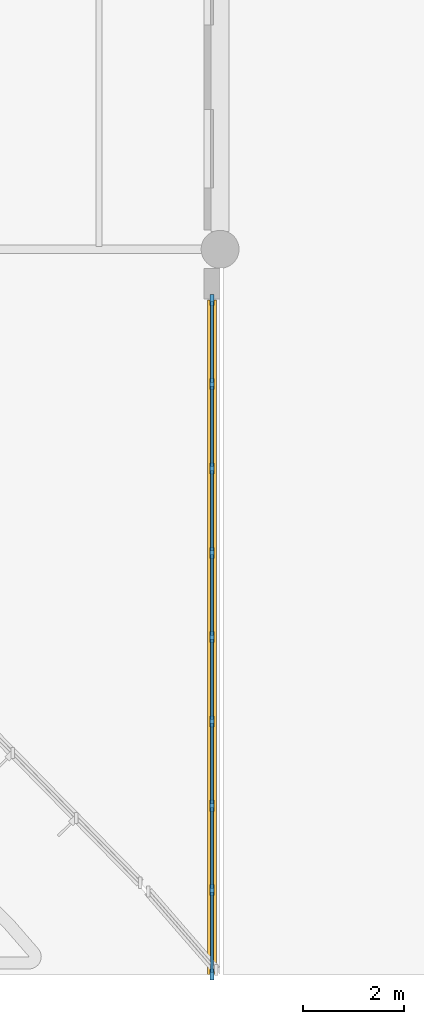
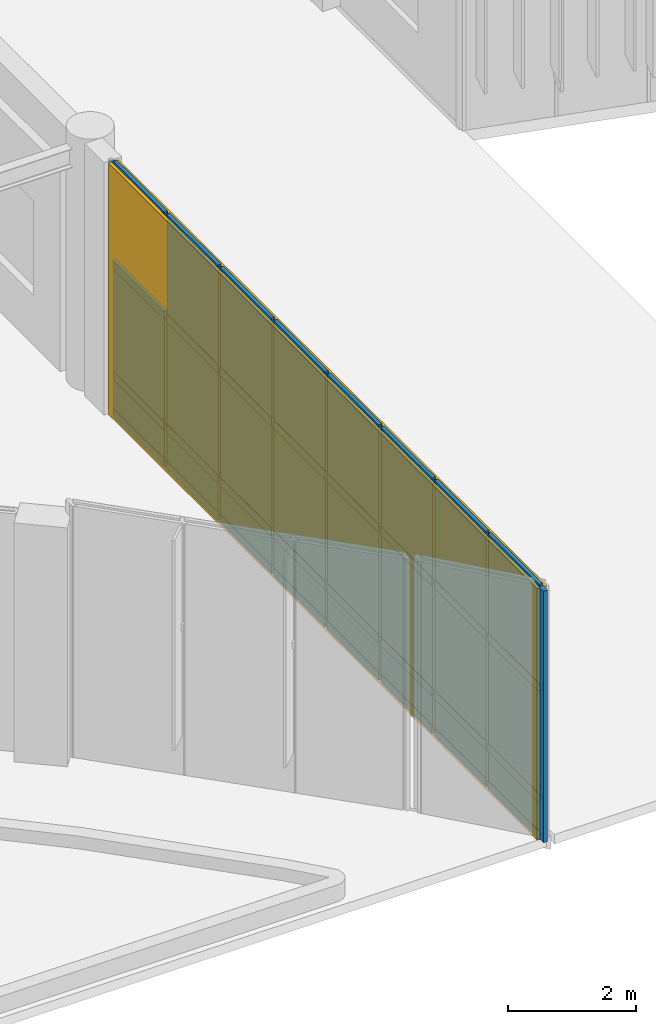
# One storey, part 80 of 122: 41 members, 23 plates, 1 curtain wall.
"""IFC4 building model written with IfcOpenShell, lengths in metres."""

from ifc_helpers import new_model, si_unit, direction, frame, frame_2d, origin, origin_2d, place, context, subcontext, project, spatial, rectangle, extrude, material, layer, layer_set, material_profile, profile_set, type_object, element, aggregate, save


model = new_model("IFC4")

# Units and contexts
model_context = context("Model", 3, precision=1e-05, world=origin(), true_north=direction((0.0, 1.0)))
body_context = subcontext(model_context, "Body", "Model", "MODEL_VIEW")
ifc_project = project(units=[si_unit("LENGTHUNIT", "METRE"), si_unit("AREAUNIT", "SQUARE_METRE"), si_unit("VOLUMEUNIT", "CUBIC_METRE"), si_unit("PLANEANGLEUNIT", "RADIAN"), si_unit("MASSUNIT", "GRAM", prefix="KILO")], contexts=[model_context])

# Member
ifc_material_1 = material(Name="Anodised Bronze Aluminium 6063-T6", Category="aluminium")
ifc_material_profile_1 = material_profile(ifc_material_1, rectangle(XDim=0.070068359375, YDim=0.219970703125, at=origin_2d()), Name="ALU MULLION 70x220")
ifc_profile_set_1 = profile_set([ifc_material_profile_1], Name="Anodised Bronze Aluminium 6063-T6")
member_type_1 = type_object("IfcMemberType", Name="Curtain-Wall Heavy Mullion 70x220", PredefinedType="MULLION", material=ifc_profile_set_1)
site_placement = place(None, origin())
building_placement = place(site_placement, origin())
storey_placement = place(building_placement, origin())
member_1_placement = place(storey_placement, frame((116.840087890625, 1.449951171875, 0.0), z_axis=(0.0, 0.0, 1.0), x_axis=(1.0, 0.0, 0.0)))
member_1 = element("IfcMember", 1, at=member_1_placement, type_object=member_type_1, Name="Mullion CWM-02 CW-V5-RET-E-L00-M01", PredefinedType="MULLION", context=body_context, shape_type="SweptSolid", body=[
    extrude(rectangle(XDim=0.070068359375, YDim=0.219970703125, at=origin_2d()), origin(), (0.0, 0.0, 1.0), 4.780029296875),
])

member_2_placement = place(storey_placement, frame((116.840087890625, 3.118896484375, 0.0), z_axis=(0.0, 0.0, 1.0), x_axis=(1.0, 0.0, 0.0)))
member_2 = element("IfcMember", 2, at=member_2_placement, type_object=member_type_1, Name="Mullion CWM-02 CW-V5-RET-E-L00-M02", PredefinedType="MULLION", context=body_context, shape_type="SweptSolid", body=[
    extrude(rectangle(XDim=0.070068359375, YDim=0.219970703125, at=origin_2d()), origin(), (0.0, 0.0, 1.0), 4.780029296875),
])

member_3_placement = place(storey_placement, frame((116.840087890625, 4.78759765625, 0.0), z_axis=(0.0, 0.0, 1.0), x_axis=(1.0, 0.0, 0.0)))
member_3 = element("IfcMember", 3, at=member_3_placement, type_object=member_type_1, Name="Mullion CWM-02 CW-V5-RET-E-L00-M03", PredefinedType="MULLION", context=body_context, shape_type="SweptSolid", body=[
    extrude(rectangle(XDim=0.070068359375, YDim=0.219970703125, at=origin_2d()), origin(), (0.0, 0.0, 1.0), 4.780029296875),
])

member_4_placement = place(storey_placement, frame((116.840087890625, 6.456298828125, 0.0), z_axis=(0.0, 0.0, 1.0), x_axis=(1.0, 0.0, 0.0)))
member_4 = element("IfcMember", 4, at=member_4_placement, type_object=member_type_1, Name="Mullion CWM-02 CW-V5-RET-E-L00-M04", PredefinedType="MULLION", context=body_context, shape_type="SweptSolid", body=[
    extrude(rectangle(XDim=0.070068359375, YDim=0.219970703125, at=origin_2d()), origin(), (0.0, 0.0, 1.0), 4.780029296875),
])

member_5_placement = place(storey_placement, frame((116.840087890625, 8.125, 0.0), z_axis=(0.0, 0.0, 1.0), x_axis=(1.0, 0.0, 0.0)))
member_5 = element("IfcMember", 5, at=member_5_placement, type_object=member_type_1, Name="Mullion CWM-02 CW-V5-RET-E-L00-M05", PredefinedType="MULLION", context=body_context, shape_type="SweptSolid", body=[
    extrude(rectangle(XDim=0.070068359375, YDim=0.219970703125, at=origin_2d()), origin(), (0.0, 0.0, 1.0), 4.780029296875),
])

member_6_placement = place(storey_placement, frame((116.840087890625, 9.793701171875, 0.0), z_axis=(0.0, 0.0, 1.0), x_axis=(1.0, 0.0, 0.0)))
member_6 = element("IfcMember", 6, at=member_6_placement, type_object=member_type_1, Name="Mullion CWM-02 CW-V5-RET-E-L00-M06", PredefinedType="MULLION", context=body_context, shape_type="SweptSolid", body=[
    extrude(rectangle(XDim=0.070068359375, YDim=0.219970703125, at=origin_2d()), origin(), (0.0, 0.0, 1.0), 4.780029296875),
])

member_7_placement = place(storey_placement, frame((116.840087890625, 11.46240234375, 0.0), z_axis=(0.0, 0.0, 1.0), x_axis=(1.0, 0.0, 0.0)))
member_7 = element("IfcMember", 7, at=member_7_placement, type_object=member_type_1, Name="Mullion CWM-02 CW-V5-RET-E-L00-M07", PredefinedType="MULLION", context=body_context, shape_type="SweptSolid", body=[
    extrude(rectangle(XDim=0.070068359375, YDim=0.219970703125, at=origin_2d()), origin(), (0.0, 0.0, 1.0), 4.780029296875),
])

member_8_placement = place(storey_placement, frame((116.840087890625, 13.13134765625, 0.0), z_axis=(0.0, 0.0, 1.0), x_axis=(1.0, 0.0, 0.0)))
member_8 = element("IfcMember", 8, at=member_8_placement, type_object=member_type_1, Name="Mullion CWM-02 CW-V5-RET-E-L00-M08", PredefinedType="MULLION", context=body_context, shape_type="SweptSolid", body=[
    extrude(rectangle(XDim=0.070068359375, YDim=0.219970703125, at=origin_2d()), origin(), (0.0, 0.0, 1.0), 4.780029296875),
])

member_9_placement = place(storey_placement, frame((116.840087890625, 14.800048828125, 0.0), z_axis=(0.0, 0.0, 1.0), x_axis=(1.0, 0.0, 0.0)))
member_9 = element("IfcMember", 9, at=member_9_placement, type_object=member_type_1, Name="Mullion CWM-02 CW-V5-RET-E-L00-M09", PredefinedType="MULLION", context=body_context, shape_type="SweptSolid", body=[
    extrude(rectangle(XDim=0.070068359375, YDim=0.219970703125, at=origin_2d()), origin(), (0.0, 0.0, 1.0), 4.780029296875),
])

ifc_material_profile_2 = material_profile(ifc_material_1, rectangle(XDim=0.06005859375, YDim=0.159912109375, at=origin_2d()), Name="ALU TRANSOM 60x160")
ifc_profile_set_2 = profile_set([ifc_material_profile_2], Name="Anodised Bronze Aluminium 6063-T6")
member_type_2 = type_object("IfcMemberType", Name="Curtain-Wall Heavy Transom 60x160", PredefinedType="USERDEFINED", material=ifc_profile_set_2)
member_10_placement = place(storey_placement, frame((116.840087890625, 1.485107421875, 0.0400390625), z_axis=(0.0, 1.0, 0.0), x_axis=(-1.0, 0.0, 0.0)))
member_10 = element("IfcMember", 10, at=member_10_placement, type_object=member_type_2, Name="Transom CWT-02 CW-V5-RET-E-L00-T01.1", ObjectType="TRANSOM", PredefinedType="USERDEFINED", context=body_context, shape_type="SweptSolid", body=[
    extrude(rectangle(XDim=0.06005859375, YDim=0.159912109375, at=origin_2d()), origin(), (0.0, 0.0, 1.0), 1.5986328125),
])

member_11_placement = place(storey_placement, frame((116.840087890625, 1.485107421875, 0.75), z_axis=(0.0, 1.0, 0.0), x_axis=(-1.0, 0.0, 0.0)))
member_11 = element("IfcMember", 11, at=member_11_placement, type_object=member_type_2, Name="Transom CWT-02 CW-V5-RET-E-L00-T01.2", ObjectType="TRANSOM", PredefinedType="USERDEFINED", context=body_context, shape_type="SweptSolid", body=[
    extrude(rectangle(XDim=0.06005859375, YDim=0.159912109375, at=origin_2d()), origin(), (0.0, 0.0, 1.0), 1.5986328125),
])

member_12_placement = place(storey_placement, frame((116.840087890625, 1.485107421875, 2.845703125), z_axis=(0.0, 1.0, 0.0), x_axis=(-1.0, 0.0, 0.0)))
member_12 = element("IfcMember", 12, at=member_12_placement, type_object=member_type_2, Name="Transom CWT-02 CW-V5-RET-E-L00-T01.3", ObjectType="TRANSOM", PredefinedType="USERDEFINED", context=body_context, shape_type="SweptSolid", body=[
    extrude(rectangle(XDim=0.06005859375, YDim=0.159912109375, at=origin_2d()), origin(), (0.0, 0.0, 1.0), 1.5986328125),
])

member_13_placement = place(storey_placement, frame((116.840087890625, 1.485107421875, 4.739990234375), z_axis=(0.0, 1.0, 0.0), x_axis=(-1.0, 0.0, 0.0)))
member_13 = element("IfcMember", 13, at=member_13_placement, type_object=member_type_2, Name="Transom CWT-02 CW-V5-RET-E-L00-T01.4", ObjectType="TRANSOM", PredefinedType="USERDEFINED", context=body_context, shape_type="SweptSolid", body=[
    extrude(rectangle(XDim=0.06005859375, YDim=0.159912109375, at=origin_2d()), origin(), (0.0, 0.0, 1.0), 1.5986328125),
])

member_14_placement = place(storey_placement, frame((116.840087890625, 3.15380859375, 0.0400390625), z_axis=(0.0, 1.0, 0.0), x_axis=(-1.0, 0.0, 0.0)))
member_14 = element("IfcMember", 14, at=member_14_placement, type_object=member_type_2, Name="Transom CWT-02 CW-V5-RET-E-L00-T02.1", ObjectType="TRANSOM", PredefinedType="USERDEFINED", context=body_context, shape_type="SweptSolid", body=[
    extrude(rectangle(XDim=0.06005859375, YDim=0.159912109375, at=origin_2d()), origin(), (0.0, 0.0, 1.0), 1.5986328125),
])

member_15_placement = place(storey_placement, frame((116.840087890625, 3.15380859375, 0.75), z_axis=(0.0, 1.0, 0.0), x_axis=(-1.0, 0.0, 0.0)))
member_15 = element("IfcMember", 15, at=member_15_placement, type_object=member_type_2, Name="Transom CWT-02 CW-V5-RET-E-L00-T02.2", ObjectType="TRANSOM", PredefinedType="USERDEFINED", context=body_context, shape_type="SweptSolid", body=[
    extrude(rectangle(XDim=0.06005859375, YDim=0.159912109375, at=origin_2d()), origin(), (0.0, 0.0, 1.0), 1.5986328125),
])

member_16_placement = place(storey_placement, frame((116.840087890625, 3.15380859375, 2.845703125), z_axis=(0.0, 1.0, 0.0), x_axis=(-1.0, 0.0, 0.0)))
member_16 = element("IfcMember", 16, at=member_16_placement, type_object=member_type_2, Name="Transom CWT-02 CW-V5-RET-E-L00-T02.3", ObjectType="TRANSOM", PredefinedType="USERDEFINED", context=body_context, shape_type="SweptSolid", body=[
    extrude(rectangle(XDim=0.06005859375, YDim=0.159912109375, at=origin_2d()), origin(), (0.0, 0.0, 1.0), 1.5986328125),
])

member_17_placement = place(storey_placement, frame((116.840087890625, 3.15380859375, 4.739990234375), z_axis=(0.0, 1.0, 0.0), x_axis=(-1.0, 0.0, 0.0)))
member_17 = element("IfcMember", 17, at=member_17_placement, type_object=member_type_2, Name="Transom CWT-02 CW-V5-RET-E-L00-T02.4", ObjectType="TRANSOM", PredefinedType="USERDEFINED", context=body_context, shape_type="SweptSolid", body=[
    extrude(rectangle(XDim=0.06005859375, YDim=0.159912109375, at=origin_2d()), origin(), (0.0, 0.0, 1.0), 1.5986328125),
])

member_18_placement = place(storey_placement, frame((116.840087890625, 4.822509765625, 0.0400390625), z_axis=(0.0, 1.0, 0.0), x_axis=(-1.0, 0.0, 0.0)))
member_18 = element("IfcMember", 18, at=member_18_placement, type_object=member_type_2, Name="Transom CWT-02 CW-V5-RET-E-L00-T03.1", ObjectType="TRANSOM", PredefinedType="USERDEFINED", context=body_context, shape_type="SweptSolid", body=[
    extrude(rectangle(XDim=0.06005859375, YDim=0.159912109375, at=origin_2d()), origin(), (0.0, 0.0, 1.0), 1.598876953125),
])

member_19_placement = place(storey_placement, frame((116.840087890625, 4.822509765625, 0.75), z_axis=(0.0, 1.0, 0.0), x_axis=(-1.0, 0.0, 0.0)))
member_19 = element("IfcMember", 19, at=member_19_placement, type_object=member_type_2, Name="Transom CWT-02 CW-V5-RET-E-L00-T03.2", ObjectType="TRANSOM", PredefinedType="USERDEFINED", context=body_context, shape_type="SweptSolid", body=[
    extrude(rectangle(XDim=0.06005859375, YDim=0.159912109375, at=origin_2d()), origin(), (0.0, 0.0, 1.0), 1.598876953125),
])

member_20_placement = place(storey_placement, frame((116.840087890625, 4.822509765625, 2.845703125), z_axis=(0.0, 1.0, 0.0), x_axis=(-1.0, 0.0, 0.0)))
member_20 = element("IfcMember", 20, at=member_20_placement, type_object=member_type_2, Name="Transom CWT-02 CW-V5-RET-E-L00-T03.3", ObjectType="TRANSOM", PredefinedType="USERDEFINED", context=body_context, shape_type="SweptSolid", body=[
    extrude(rectangle(XDim=0.06005859375, YDim=0.159912109375, at=origin_2d()), origin(), (0.0, 0.0, 1.0), 1.598876953125),
])

member_21_placement = place(storey_placement, frame((116.840087890625, 4.822509765625, 4.739990234375), z_axis=(0.0, 1.0, 0.0), x_axis=(-1.0, 0.0, 0.0)))
member_21 = element("IfcMember", 21, at=member_21_placement, type_object=member_type_2, Name="Transom CWT-02 CW-V5-RET-E-L00-T03.4", ObjectType="TRANSOM", PredefinedType="USERDEFINED", context=body_context, shape_type="SweptSolid", body=[
    extrude(rectangle(XDim=0.06005859375, YDim=0.159912109375, at=origin_2d()), origin(), (0.0, 0.0, 1.0), 1.598876953125),
])

member_22_placement = place(storey_placement, frame((116.840087890625, 6.4912109375, 0.0400390625), z_axis=(0.0, 1.0, 0.0), x_axis=(-1.0, 0.0, 0.0)))
member_22 = element("IfcMember", 22, at=member_22_placement, type_object=member_type_2, Name="Transom CWT-02 CW-V5-RET-E-L00-T04.1", ObjectType="TRANSOM", PredefinedType="USERDEFINED", context=body_context, shape_type="SweptSolid", body=[
    extrude(rectangle(XDim=0.06005859375, YDim=0.159912109375, at=origin_2d()), origin(), (0.0, 0.0, 1.0), 1.598876953125),
])

member_23_placement = place(storey_placement, frame((116.840087890625, 6.4912109375, 0.75), z_axis=(0.0, 1.0, 0.0), x_axis=(-1.0, 0.0, 0.0)))
member_23 = element("IfcMember", 23, at=member_23_placement, type_object=member_type_2, Name="Transom CWT-02 CW-V5-RET-E-L00-T04.2", ObjectType="TRANSOM", PredefinedType="USERDEFINED", context=body_context, shape_type="SweptSolid", body=[
    extrude(rectangle(XDim=0.06005859375, YDim=0.159912109375, at=origin_2d()), origin(), (0.0, 0.0, 1.0), 1.598876953125),
])

member_24_placement = place(storey_placement, frame((116.840087890625, 6.4912109375, 2.845703125), z_axis=(0.0, 1.0, 0.0), x_axis=(-1.0, 0.0, 0.0)))
member_24 = element("IfcMember", 24, at=member_24_placement, type_object=member_type_2, Name="Transom CWT-02 CW-V5-RET-E-L00-T04.3", ObjectType="TRANSOM", PredefinedType="USERDEFINED", context=body_context, shape_type="SweptSolid", body=[
    extrude(rectangle(XDim=0.06005859375, YDim=0.159912109375, at=origin_2d()), origin(), (0.0, 0.0, 1.0), 1.598876953125),
])

member_25_placement = place(storey_placement, frame((116.840087890625, 6.4912109375, 4.739990234375), z_axis=(0.0, 1.0, 0.0), x_axis=(-1.0, 0.0, 0.0)))
member_25 = element("IfcMember", 25, at=member_25_placement, type_object=member_type_2, Name="Transom CWT-02 CW-V5-RET-E-L00-T04.4", ObjectType="TRANSOM", PredefinedType="USERDEFINED", context=body_context, shape_type="SweptSolid", body=[
    extrude(rectangle(XDim=0.06005859375, YDim=0.159912109375, at=origin_2d()), origin(), (0.0, 0.0, 1.0), 1.598876953125),
])

member_26_placement = place(storey_placement, frame((116.840087890625, 8.159912109375, 0.0400390625), z_axis=(0.0, 1.0, 0.0), x_axis=(-1.0, 0.0, 0.0)))
member_26 = element("IfcMember", 26, at=member_26_placement, type_object=member_type_2, Name="Transom CWT-02 CW-V5-RET-E-L00-T05.1", ObjectType="TRANSOM", PredefinedType="USERDEFINED", context=body_context, shape_type="SweptSolid", body=[
    extrude(rectangle(XDim=0.06005859375, YDim=0.159912109375, at=origin_2d()), origin(), (0.0, 0.0, 1.0), 1.598876953125),
])

member_27_placement = place(storey_placement, frame((116.840087890625, 8.159912109375, 0.75), z_axis=(0.0, 1.0, 0.0), x_axis=(-1.0, 0.0, 0.0)))
member_27 = element("IfcMember", 27, at=member_27_placement, type_object=member_type_2, Name="Transom CWT-02 CW-V5-RET-E-L00-T05.2", ObjectType="TRANSOM", PredefinedType="USERDEFINED", context=body_context, shape_type="SweptSolid", body=[
    extrude(rectangle(XDim=0.06005859375, YDim=0.159912109375, at=origin_2d()), origin(), (0.0, 0.0, 1.0), 1.598876953125),
])

member_28_placement = place(storey_placement, frame((116.840087890625, 8.159912109375, 2.845703125), z_axis=(0.0, 1.0, 0.0), x_axis=(-1.0, 0.0, 0.0)))
member_28 = element("IfcMember", 28, at=member_28_placement, type_object=member_type_2, Name="Transom CWT-02 CW-V5-RET-E-L00-T05.3", ObjectType="TRANSOM", PredefinedType="USERDEFINED", context=body_context, shape_type="SweptSolid", body=[
    extrude(rectangle(XDim=0.06005859375, YDim=0.159912109375, at=origin_2d()), origin(), (0.0, 0.0, 1.0), 1.598876953125),
])

member_29_placement = place(storey_placement, frame((116.840087890625, 8.159912109375, 4.739990234375), z_axis=(0.0, 1.0, 0.0), x_axis=(-1.0, 0.0, 0.0)))
member_29 = element("IfcMember", 29, at=member_29_placement, type_object=member_type_2, Name="Transom CWT-02 CW-V5-RET-E-L00-T05.4", ObjectType="TRANSOM", PredefinedType="USERDEFINED", context=body_context, shape_type="SweptSolid", body=[
    extrude(rectangle(XDim=0.06005859375, YDim=0.159912109375, at=origin_2d()), origin(), (0.0, 0.0, 1.0), 1.598876953125),
])

member_30_placement = place(storey_placement, frame((116.840087890625, 9.82861328125, 0.0400390625), z_axis=(0.0, 1.0, 0.0), x_axis=(-1.0, 0.0, 0.0)))
member_30 = element("IfcMember", 30, at=member_30_placement, type_object=member_type_2, Name="Transom CWT-02 CW-V5-RET-E-L00-T06.1", ObjectType="TRANSOM", PredefinedType="USERDEFINED", context=body_context, shape_type="SweptSolid", body=[
    extrude(rectangle(XDim=0.06005859375, YDim=0.159912109375, at=origin_2d()), origin(), (0.0, 0.0, 1.0), 1.598876953125),
])

member_31_placement = place(storey_placement, frame((116.840087890625, 9.82861328125, 0.75), z_axis=(0.0, 1.0, 0.0), x_axis=(-1.0, 0.0, 0.0)))
member_31 = element("IfcMember", 31, at=member_31_placement, type_object=member_type_2, Name="Transom CWT-02 CW-V5-RET-E-L00-T06.2", ObjectType="TRANSOM", PredefinedType="USERDEFINED", context=body_context, shape_type="SweptSolid", body=[
    extrude(rectangle(XDim=0.06005859375, YDim=0.159912109375, at=origin_2d()), origin(), (0.0, 0.0, 1.0), 1.598876953125),
])

member_32_placement = place(storey_placement, frame((116.840087890625, 9.82861328125, 2.845703125), z_axis=(0.0, 1.0, 0.0), x_axis=(-1.0, 0.0, 0.0)))
member_32 = element("IfcMember", 32, at=member_32_placement, type_object=member_type_2, Name="Transom CWT-02 CW-V5-RET-E-L00-T06.3", ObjectType="TRANSOM", PredefinedType="USERDEFINED", context=body_context, shape_type="SweptSolid", body=[
    extrude(rectangle(XDim=0.06005859375, YDim=0.159912109375, at=origin_2d()), origin(), (0.0, 0.0, 1.0), 1.598876953125),
])

member_33_placement = place(storey_placement, frame((116.840087890625, 9.82861328125, 4.739990234375), z_axis=(0.0, 1.0, 0.0), x_axis=(-1.0, 0.0, 0.0)))
member_33 = element("IfcMember", 33, at=member_33_placement, type_object=member_type_2, Name="Transom CWT-02 CW-V5-RET-E-L00-T06.4", ObjectType="TRANSOM", PredefinedType="USERDEFINED", context=body_context, shape_type="SweptSolid", body=[
    extrude(rectangle(XDim=0.06005859375, YDim=0.159912109375, at=origin_2d()), origin(), (0.0, 0.0, 1.0), 1.598876953125),
])

member_34_placement = place(storey_placement, frame((116.840087890625, 11.49755859375, 0.0400390625), z_axis=(0.0, 1.0, 0.0), x_axis=(-1.0, 0.0, 0.0)))
member_34 = element("IfcMember", 34, at=member_34_placement, type_object=member_type_2, Name="Transom CWT-02 CW-V5-RET-E-L00-T07.1", ObjectType="TRANSOM", PredefinedType="USERDEFINED", context=body_context, shape_type="SweptSolid", body=[
    extrude(rectangle(XDim=0.06005859375, YDim=0.159912109375, at=origin_2d()), origin(), (0.0, 0.0, 1.0), 1.5986328125),
])

member_35_placement = place(storey_placement, frame((116.840087890625, 11.49755859375, 0.75), z_axis=(0.0, 1.0, 0.0), x_axis=(-1.0, 0.0, 0.0)))
member_35 = element("IfcMember", 35, at=member_35_placement, type_object=member_type_2, Name="Transom CWT-02 CW-V5-RET-E-L00-T07.2", ObjectType="TRANSOM", PredefinedType="USERDEFINED", context=body_context, shape_type="SweptSolid", body=[
    extrude(rectangle(XDim=0.06005859375, YDim=0.159912109375, at=origin_2d()), origin(), (0.0, 0.0, 1.0), 1.5986328125),
])

member_36_placement = place(storey_placement, frame((116.840087890625, 11.49755859375, 2.845703125), z_axis=(0.0, 1.0, 0.0), x_axis=(-1.0, 0.0, 0.0)))
member_36 = element("IfcMember", 36, at=member_36_placement, type_object=member_type_2, Name="Transom CWT-02 CW-V5-RET-E-L00-T07.3", ObjectType="TRANSOM", PredefinedType="USERDEFINED", context=body_context, shape_type="SweptSolid", body=[
    extrude(rectangle(XDim=0.06005859375, YDim=0.159912109375, at=origin_2d()), origin(), (0.0, 0.0, 1.0), 1.5986328125),
])

member_37_placement = place(storey_placement, frame((116.840087890625, 11.49755859375, 4.739990234375), z_axis=(0.0, 1.0, 0.0), x_axis=(-1.0, 0.0, 0.0)))
member_37 = element("IfcMember", 37, at=member_37_placement, type_object=member_type_2, Name="Transom CWT-02 CW-V5-RET-E-L00-T07.4", ObjectType="TRANSOM", PredefinedType="USERDEFINED", context=body_context, shape_type="SweptSolid", body=[
    extrude(rectangle(XDim=0.06005859375, YDim=0.159912109375, at=origin_2d()), origin(), (0.0, 0.0, 1.0), 1.5986328125),
])

member_38_placement = place(storey_placement, frame((116.840087890625, 13.166259765625, 0.0400390625), z_axis=(0.0, 1.0, 0.0), x_axis=(-1.0, 0.0, 0.0)))
member_38 = element("IfcMember", 38, at=member_38_placement, type_object=member_type_2, Name="Transom CWT-02 CW-V5-RET-E-L00-T08.1", ObjectType="TRANSOM", PredefinedType="USERDEFINED", context=body_context, shape_type="SweptSolid", body=[
    extrude(rectangle(XDim=0.06005859375, YDim=0.159912109375, at=origin_2d()), origin(), (0.0, 0.0, 1.0), 1.5986328125),
])

member_39_placement = place(storey_placement, frame((116.840087890625, 13.166259765625, 0.75), z_axis=(0.0, 1.0, 0.0), x_axis=(-1.0, 0.0, 0.0)))
member_39 = element("IfcMember", 39, at=member_39_placement, type_object=member_type_2, Name="Transom CWT-02 CW-V5-RET-E-L00-T08.2", ObjectType="TRANSOM", PredefinedType="USERDEFINED", context=body_context, shape_type="SweptSolid", body=[
    extrude(rectangle(XDim=0.06005859375, YDim=0.159912109375, at=origin_2d()), origin(), (0.0, 0.0, 1.0), 1.5986328125),
])

member_40_placement = place(storey_placement, frame((116.840087890625, 13.166259765625, 2.845703125), z_axis=(0.0, 1.0, 0.0), x_axis=(-1.0, 0.0, 0.0)))
member_40 = element("IfcMember", 40, at=member_40_placement, type_object=member_type_2, Name="Transom CWT-02 CW-V5-RET-E-L00-T08.3", ObjectType="TRANSOM", PredefinedType="USERDEFINED", context=body_context, shape_type="SweptSolid", body=[
    extrude(rectangle(XDim=0.06005859375, YDim=0.159912109375, at=origin_2d()), origin(), (0.0, 0.0, 1.0), 1.5986328125),
])

member_41_placement = place(storey_placement, frame((116.840087890625, 13.166259765625, 4.739990234375), z_axis=(0.0, 1.0, 0.0), x_axis=(-1.0, 0.0, 0.0)))
member_41 = element("IfcMember", 41, at=member_41_placement, type_object=member_type_2, Name="Transom CWT-02 CW-V5-RET-E-L00-T08.4", ObjectType="TRANSOM", PredefinedType="USERDEFINED", context=body_context, shape_type="SweptSolid", body=[
    extrude(rectangle(XDim=0.06005859375, YDim=0.159912109375, at=origin_2d()), origin(), (0.0, 0.0, 1.0), 1.5986328125),
])

# Plate
ifc_material_2 = material(Name="Double Low-E Acoustic Laminated Glass", Category="glass")
ifc_layer_1 = layer(ifc_material_2, 0.0439453125, Name="Double Low-E Acoustic Laminated Glass")
ifc_layer_set_1 = layer_set([ifc_layer_1], Name="Double Low-E Acoustic Laminated Glass")
plate_type_1 = type_object("IfcPlateType", Name="Acoustic Laminated Low-E Glazing Unit 44", PredefinedType="CURTAIN_PANEL", material=ifc_layer_set_1)
plate_1_placement = place(storey_placement, frame((116.840087890625, 2.284423828125, 0.780029296875), z_axis=(0.0, 0.0, 1.0), x_axis=(0.0, 1.0, 0.0)))
plate_1 = element("IfcPlate", 42, at=plate_1_placement, type_object=plate_type_1, Name="Curtain Panel CWP-01 CW-V5-RET-E-L00-P01.2", PredefinedType="CURTAIN_PANEL", context=body_context, shape_type="SweptSolid", body=[
    extrude(rectangle(XDim=1.598876953125, YDim=0.0439453125, at=origin_2d()), origin(), (0.0, 0.0, 1.0), 2.03564453125),
])

plate_2_placement = place(storey_placement, frame((116.840087890625, 2.284423828125, 2.87548828125), z_axis=(0.0, 0.0, 1.0), x_axis=(0.0, 1.0, 0.0)))
plate_2 = element("IfcPlate", 43, at=plate_2_placement, type_object=plate_type_1, Name="Curtain Panel CWP-01 CW-V5-RET-E-L00-P01.3", PredefinedType="CURTAIN_PANEL", context=body_context, shape_type="SweptSolid", body=[
    extrude(rectangle(XDim=1.598876953125, YDim=0.0439453125, at=origin_2d()), origin(), (0.0, 0.0, 1.0), 1.83447265625),
])

plate_3_placement = place(storey_placement, frame((116.840087890625, 3.953125, 0.780029296875), z_axis=(0.0, 0.0, 1.0), x_axis=(0.0, 1.0, 0.0)))
plate_3 = element("IfcPlate", 44, at=plate_3_placement, type_object=plate_type_1, Name="Curtain Panel CWP-01 CW-V5-RET-E-L00-P02.2", PredefinedType="CURTAIN_PANEL", context=body_context, shape_type="SweptSolid", body=[
    extrude(rectangle(XDim=1.598876953125, YDim=0.0439453125, at=origin_2d()), origin(), (0.0, 0.0, 1.0), 2.03564453125),
])

plate_4_placement = place(storey_placement, frame((116.840087890625, 3.953125, 2.87548828125), z_axis=(0.0, 0.0, 1.0), x_axis=(0.0, 1.0, 0.0)))
plate_4 = element("IfcPlate", 45, at=plate_4_placement, type_object=plate_type_1, Name="Curtain Panel CWP-01 CW-V5-RET-E-L00-P02.3", PredefinedType="CURTAIN_PANEL", context=body_context, shape_type="SweptSolid", body=[
    extrude(rectangle(XDim=1.598876953125, YDim=0.0439453125, at=origin_2d()), origin(), (0.0, 0.0, 1.0), 1.83447265625),
])

plate_5_placement = place(storey_placement, frame((116.840087890625, 5.621826171875, 0.780029296875), z_axis=(0.0, 0.0, 1.0), x_axis=(0.0, 1.0, 0.0)))
plate_5 = element("IfcPlate", 46, at=plate_5_placement, type_object=plate_type_1, Name="Curtain Panel CWP-01 CW-V5-RET-E-L00-P03.2", PredefinedType="CURTAIN_PANEL", context=body_context, shape_type="SweptSolid", body=[
    extrude(rectangle(XDim=1.5986328125, YDim=0.0439453125, at=origin_2d()), origin(), (0.0, 0.0, 1.0), 2.03564453125),
])

plate_6_placement = place(storey_placement, frame((116.840087890625, 5.621826171875, 2.87548828125), z_axis=(0.0, 0.0, 1.0), x_axis=(0.0, 1.0, 0.0)))
plate_6 = element("IfcPlate", 47, at=plate_6_placement, type_object=plate_type_1, Name="Curtain Panel CWP-01 CW-V5-RET-E-L00-P03.3", PredefinedType="CURTAIN_PANEL", context=body_context, shape_type="SweptSolid", body=[
    extrude(rectangle(XDim=1.5986328125, YDim=0.0439453125, at=origin_2d()), origin(), (0.0, 0.0, 1.0), 1.83447265625),
])

plate_7_placement = place(storey_placement, frame((116.840087890625, 7.29052734375, 0.780029296875), z_axis=(0.0, 0.0, 1.0), x_axis=(0.0, 1.0, 0.0)))
plate_7 = element("IfcPlate", 48, at=plate_7_placement, type_object=plate_type_1, Name="Curtain Panel CWP-01 CW-V5-RET-E-L00-P04.2", PredefinedType="CURTAIN_PANEL", context=body_context, shape_type="SweptSolid", body=[
    extrude(rectangle(XDim=1.5986328125, YDim=0.0439453125, at=origin_2d()), origin(), (0.0, 0.0, 1.0), 2.03564453125),
])

plate_8_placement = place(storey_placement, frame((116.840087890625, 7.29052734375, 2.87548828125), z_axis=(0.0, 0.0, 1.0), x_axis=(0.0, 1.0, 0.0)))
plate_8 = element("IfcPlate", 49, at=plate_8_placement, type_object=plate_type_1, Name="Curtain Panel CWP-01 CW-V5-RET-E-L00-P04.3", PredefinedType="CURTAIN_PANEL", context=body_context, shape_type="SweptSolid", body=[
    extrude(rectangle(XDim=1.5986328125, YDim=0.0439453125, at=origin_2d()), origin(), (0.0, 0.0, 1.0), 1.83447265625),
])

plate_9_placement = place(storey_placement, frame((116.840087890625, 8.95947265625, 0.780029296875), z_axis=(0.0, 0.0, 1.0), x_axis=(0.0, 1.0, 0.0)))
plate_9 = element("IfcPlate", 50, at=plate_9_placement, type_object=plate_type_1, Name="Curtain Panel CWP-01 CW-V5-RET-E-L00-P05.2", PredefinedType="CURTAIN_PANEL", context=body_context, shape_type="SweptSolid", body=[
    extrude(rectangle(XDim=1.5986328125, YDim=0.0439453125, at=origin_2d()), origin(), (0.0, 0.0, 1.0), 2.03564453125),
])

plate_10_placement = place(storey_placement, frame((116.840087890625, 8.95947265625, 2.87548828125), z_axis=(0.0, 0.0, 1.0), x_axis=(0.0, 1.0, 0.0)))
plate_10 = element("IfcPlate", 51, at=plate_10_placement, type_object=plate_type_1, Name="Curtain Panel CWP-01 CW-V5-RET-E-L00-P05.3", PredefinedType="CURTAIN_PANEL", context=body_context, shape_type="SweptSolid", body=[
    extrude(rectangle(XDim=1.5986328125, YDim=0.0439453125, at=origin_2d()), origin(), (0.0, 0.0, 1.0), 1.83447265625),
])

plate_11_placement = place(storey_placement, frame((116.840087890625, 10.628173828125, 0.780029296875), z_axis=(0.0, 0.0, 1.0), x_axis=(0.0, 1.0, 0.0)))
plate_11 = element("IfcPlate", 52, at=plate_11_placement, type_object=plate_type_1, Name="Curtain Panel CWP-01 CW-V5-RET-E-L00-P06.2", PredefinedType="CURTAIN_PANEL", context=body_context, shape_type="SweptSolid", body=[
    extrude(rectangle(XDim=1.598876953125, YDim=0.0439453125, at=origin_2d()), origin(), (0.0, 0.0, 1.0), 2.03564453125),
])

plate_12_placement = place(storey_placement, frame((116.840087890625, 10.628173828125, 2.87548828125), z_axis=(0.0, 0.0, 1.0), x_axis=(0.0, 1.0, 0.0)))
plate_12 = element("IfcPlate", 53, at=plate_12_placement, type_object=plate_type_1, Name="Curtain Panel CWP-01 CW-V5-RET-E-L00-P06.3", PredefinedType="CURTAIN_PANEL", context=body_context, shape_type="SweptSolid", body=[
    extrude(rectangle(XDim=1.598876953125, YDim=0.0439453125, at=origin_2d()), origin(), (0.0, 0.0, 1.0), 1.83447265625),
])

plate_13_placement = place(storey_placement, frame((116.840087890625, 12.296875, 0.780029296875), z_axis=(0.0, 0.0, 1.0), x_axis=(0.0, 1.0, 0.0)))
plate_13 = element("IfcPlate", 54, at=plate_13_placement, type_object=plate_type_1, Name="Curtain Panel CWP-01 CW-V5-RET-E-L00-P07.2", PredefinedType="CURTAIN_PANEL", context=body_context, shape_type="SweptSolid", body=[
    extrude(rectangle(XDim=1.598876953125, YDim=0.0439453125, at=origin_2d()), origin(), (0.0, 0.0, 1.0), 2.03564453125),
])

plate_14_placement = place(storey_placement, frame((116.840087890625, 12.296875, 2.87548828125), z_axis=(0.0, 0.0, 1.0), x_axis=(0.0, 1.0, 0.0)))
plate_14 = element("IfcPlate", 55, at=plate_14_placement, type_object=plate_type_1, Name="Curtain Panel CWP-01 CW-V5-RET-E-L00-P07.3", PredefinedType="CURTAIN_PANEL", context=body_context, shape_type="SweptSolid", body=[
    extrude(rectangle(XDim=1.598876953125, YDim=0.0439453125, at=origin_2d()), origin(), (0.0, 0.0, 1.0), 1.83447265625),
])

plate_15_placement = place(storey_placement, frame((116.840087890625, 13.965576171875, 0.780029296875), z_axis=(0.0, 0.0, 1.0), x_axis=(0.0, 1.0, 0.0)))
plate_15 = element("IfcPlate", 56, at=plate_15_placement, type_object=plate_type_1, Name="Curtain Panel CWP-01 CW-V5-RET-E-L00-P08.2", PredefinedType="CURTAIN_PANEL", context=body_context, shape_type="SweptSolid", body=[
    extrude(rectangle(XDim=1.5986328125, YDim=0.0439453125, at=origin_2d()), origin(), (0.0, 0.0, 1.0), 2.03564453125),
])

ifc_material_3 = material(Name="Ceramic-Fritted Tempered Laminated Glass", Category="glass")
ifc_layer_2 = layer(ifc_material_3, 0.0458984375, Name="Ceramic-Fritted Tempered Laminated Glass")
ifc_layer_set_2 = layer_set([ifc_layer_2], Name="Ceramic-Fritted Tempered Laminated Glass")
plate_type_2 = type_object("IfcPlateType", Name="Ceramic-Frit Acoustic Spandrel Glazing 46", PredefinedType="CURTAIN_PANEL", material=ifc_layer_set_2)
plate_16_placement = place(storey_placement, frame((116.840087890625, 2.284423828125, 0.070068359375), z_axis=(0.0, 0.0, 1.0), x_axis=(0.0, 1.0, 0.0)))
plate_16 = element("IfcPlate", 57, at=plate_16_placement, type_object=plate_type_2, Name="Curtain Panel CWP-04 CW-V5-RET-E-L00-P01.1", PredefinedType="CURTAIN_PANEL", context=body_context, shape_type="SweptSolid", body=[
    extrude(rectangle(XDim=1.598876953125, YDim=0.0458984375, at=origin_2d()), origin(), (0.0, 0.0, 1.0), 0.64990234375),
])

plate_17_placement = place(storey_placement, frame((116.840087890625, 3.953125, 0.070068359375), z_axis=(0.0, 0.0, 1.0), x_axis=(0.0, 1.0, 0.0)))
plate_17 = element("IfcPlate", 58, at=plate_17_placement, type_object=plate_type_2, Name="Curtain Panel CWP-04 CW-V5-RET-E-L00-P02.1", PredefinedType="CURTAIN_PANEL", context=body_context, shape_type="SweptSolid", body=[
    extrude(rectangle(XDim=1.598876953125, YDim=0.0458984375, at=origin_2d()), origin(), (0.0, 0.0, 1.0), 0.64990234375),
])

plate_18_placement = place(storey_placement, frame((116.840087890625, 5.621826171875, 0.070068359375), z_axis=(0.0, 0.0, 1.0), x_axis=(0.0, 1.0, 0.0)))
plate_18 = element("IfcPlate", 59, at=plate_18_placement, type_object=plate_type_2, Name="Curtain Panel CWP-04 CW-V5-RET-E-L00-P03.1", PredefinedType="CURTAIN_PANEL", context=body_context, shape_type="SweptSolid", body=[
    extrude(rectangle(XDim=1.5986328125, YDim=0.0458984375, at=origin_2d()), origin(), (0.0, 0.0, 1.0), 0.64990234375),
])

plate_19_placement = place(storey_placement, frame((116.840087890625, 7.29052734375, 0.070068359375), z_axis=(0.0, 0.0, 1.0), x_axis=(0.0, 1.0, 0.0)))
plate_19 = element("IfcPlate", 60, at=plate_19_placement, type_object=plate_type_2, Name="Curtain Panel CWP-04 CW-V5-RET-E-L00-P04.1", PredefinedType="CURTAIN_PANEL", context=body_context, shape_type="SweptSolid", body=[
    extrude(rectangle(XDim=1.5986328125, YDim=0.0458984375, at=origin_2d()), origin(), (0.0, 0.0, 1.0), 0.64990234375),
])

plate_20_placement = place(storey_placement, frame((116.840087890625, 8.95947265625, 0.070068359375), z_axis=(0.0, 0.0, 1.0), x_axis=(0.0, 1.0, 0.0)))
plate_20 = element("IfcPlate", 61, at=plate_20_placement, type_object=plate_type_2, Name="Curtain Panel CWP-04 CW-V5-RET-E-L00-P05.1", PredefinedType="CURTAIN_PANEL", context=body_context, shape_type="SweptSolid", body=[
    extrude(rectangle(XDim=1.5986328125, YDim=0.0458984375, at=origin_2d()), origin(), (0.0, 0.0, 1.0), 0.64990234375),
])

plate_21_placement = place(storey_placement, frame((116.840087890625, 10.628173828125, 0.070068359375), z_axis=(0.0, 0.0, 1.0), x_axis=(0.0, 1.0, 0.0)))
plate_21 = element("IfcPlate", 62, at=plate_21_placement, type_object=plate_type_2, Name="Curtain Panel CWP-04 CW-V5-RET-E-L00-P06.1", PredefinedType="CURTAIN_PANEL", context=body_context, shape_type="SweptSolid", body=[
    extrude(rectangle(XDim=1.598876953125, YDim=0.0458984375, at=origin_2d()), origin(), (0.0, 0.0, 1.0), 0.64990234375),
])

plate_22_placement = place(storey_placement, frame((116.840087890625, 12.296875, 0.070068359375), z_axis=(0.0, 0.0, 1.0), x_axis=(0.0, 1.0, 0.0)))
plate_22 = element("IfcPlate", 63, at=plate_22_placement, type_object=plate_type_2, Name="Curtain Panel CWP-04 CW-V5-RET-E-L00-P07.1", PredefinedType="CURTAIN_PANEL", context=body_context, shape_type="SweptSolid", body=[
    extrude(rectangle(XDim=1.598876953125, YDim=0.0458984375, at=origin_2d()), origin(), (0.0, 0.0, 1.0), 0.64990234375),
])

plate_23_placement = place(storey_placement, frame((116.840087890625, 13.965576171875, 0.070068359375), z_axis=(0.0, 0.0, 1.0), x_axis=(0.0, 1.0, 0.0)))
plate_23 = element("IfcPlate", 64, at=plate_23_placement, type_object=plate_type_2, Name="Curtain Panel CWP-04 CW-V5-RET-E-L00-P08.1", PredefinedType="CURTAIN_PANEL", context=body_context, shape_type="SweptSolid", body=[
    extrude(rectangle(XDim=1.5986328125, YDim=0.0458984375, at=origin_2d()), origin(), (0.0, 0.0, 1.0), 0.64990234375),
])

# Site, building, storey
site = spatial("IfcSite", under=ifc_project, at=site_placement, CompositionType="ELEMENT")
building = spatial("IfcBuilding", under=site, at=building_placement, Name="Tazoul Stagehouse", CompositionType="ELEMENT")
storey = spatial("IfcBuildingStorey", under=building, at=storey_placement, Name="L00", CompositionType="ELEMENT", Elevation=0.0)

# Curtain wall
curtain_wall_type = type_object("IfcCurtainWallType", Name="Crescent Double-Skin Acoustic Curtain Wall", PredefinedType="NOTDEFINED", material=ifc_material_1)
curtain_wall_placement = place(storey_placement, frame((116.840087890625, 1.449951171875, 0.0), z_axis=(0.0, 0.0, 1.0), x_axis=(0.0, 1.0, 0.0)))
curtain_wall = element("IfcCurtainWall", 65, at=curtain_wall_placement, inside=storey, type_object=curtain_wall_type, Name="L00 Curtain Wall CW-01 (CW-V5-RET-E-L00)", PredefinedType="NOTDEFINED", context=body_context, shape_type="SweptSolid", body=[
    extrude(rectangle(XDim=13.35009765625, YDim=0.179931640625, at=frame_2d((6.675048828125, 0.0))), origin(), (0.0, 0.0, 1.0), 4.780029296875),
])

aggregate(curtain_wall, [member_1, member_2, member_3, member_4, member_5, member_6, member_7, member_8, member_9, member_10, member_11, member_12, member_13, plate_16, plate_1, plate_2, member_14, member_15, member_16, member_17, plate_17, plate_3, plate_4, member_18, member_19, member_20, member_21, plate_18, plate_5, plate_6, member_22, member_23, member_24, member_25, plate_19, plate_7, plate_8, member_26, member_27, member_28, member_29, plate_20, plate_9, plate_10, member_30, member_31, member_32, member_33, plate_21, plate_11, plate_12, member_34, member_35, member_36, member_37, plate_22, plate_13, plate_14, member_38, member_39, member_40, member_41, plate_23, plate_15])

save(model, "model.ifc")
